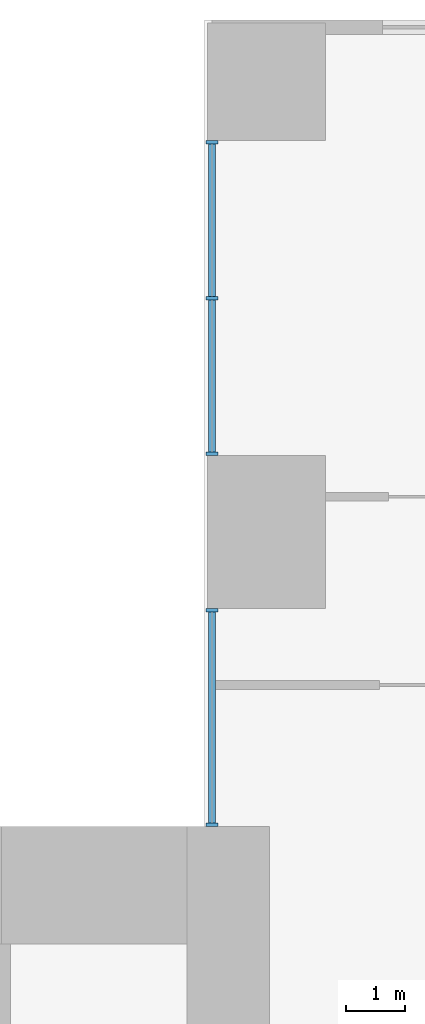
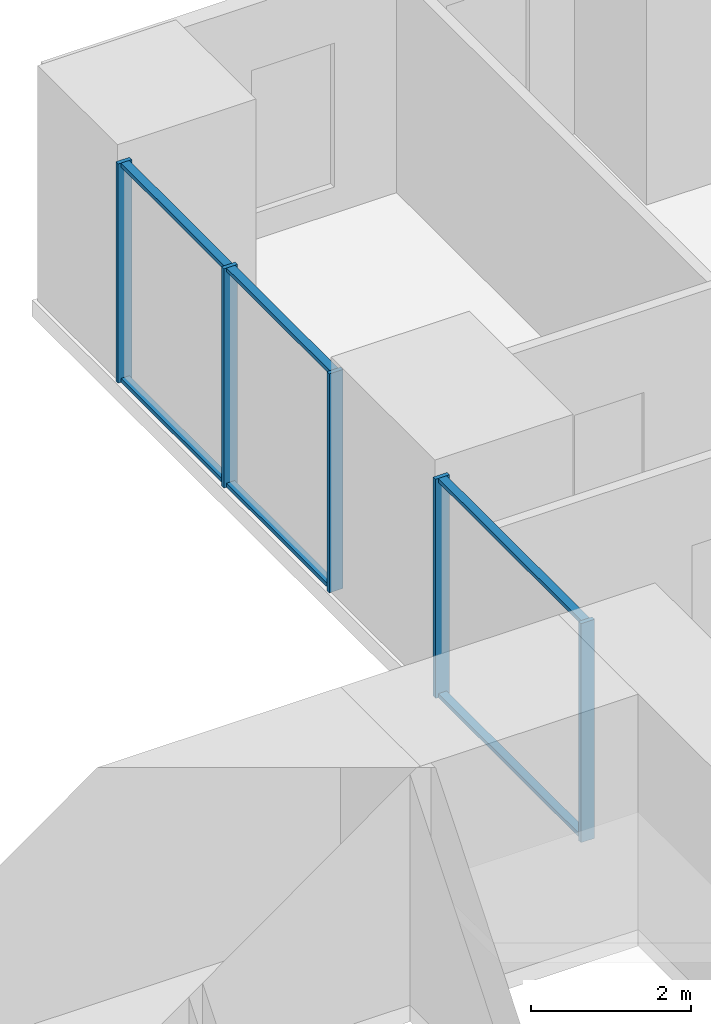
# One storey, part 5 of 20: 11 members, 2 elements without a shape of their own.
"""IFC4 building model written with IfcOpenShell, lengths in metres."""

from ifc_helpers import new_model, si_unit, direction, frame, origin, origin_2d, place, context, subcontext, project, spatial, rectangle, extrude, material, layer, layer_set, material_profile, profile_set, type_object, element, aggregate, save


model = new_model("IFC4")

# Units and contexts
model_context = context("Model", 3, precision=1e-05, world=origin(), true_north=direction((0.0, 1.0)))
body_context = subcontext(model_context, "Body", "Model", "MODEL_VIEW")
ifc_project = project(units=[si_unit("LENGTHUNIT", "METRE"), si_unit("AREAUNIT", "SQUARE_METRE"), si_unit("VOLUMEUNIT", "CUBIC_METRE"), si_unit("PLANEANGLEUNIT", "RADIAN"), si_unit("MASSUNIT", "GRAM", prefix="KILO")], contexts=[model_context])

# Site, building, storey
site_placement = place(None, origin())
site = spatial("IfcSite", under=ifc_project, at=site_placement, CompositionType="ELEMENT")
building_placement = place(site_placement, origin())
building = spatial("IfcBuilding", under=site, at=building_placement, Name="Cleftline Residences", CompositionType="ELEMENT")
storey_placement = place(building_placement, frame((0.0, 0.0, 135.800048828125)))
storey = spatial("IfcBuildingStorey", under=building, at=storey_placement, Name="L35", CompositionType="ELEMENT", Elevation=135.800048828125)

# Curtain wall, members
ifc_material_1 = material(Name="Aluminium framed curtain wall", Category="aluminium")
ifc_layer = layer(ifc_material_1, 0.199951171875)
ifc_layer_set = layer_set([ifc_layer], Name="CW1 CLEFT GLAZING")
curtain_wall_type = type_object("IfcCurtainWallType", Name="CW1 CLEFT GLAZING", PredefinedType="NOTDEFINED", material=ifc_layer_set)
curtain_wall_1_placement = place(storey_placement, origin())
curtain_wall_1 = element("IfcCurtainWall", 1, at=curtain_wall_1_placement, inside=storey, type_object=curtain_wall_type, Name="Curtain wall CW1", PredefinedType="NOTDEFINED")
ifc_material_2 = material(Name="Aluminium mullion", Category="aluminium")
ifc_material_profile_1 = material_profile(ifc_material_2, rectangle(XDim=0.199951171875, YDim=0.06005859375, at=origin_2d()))
ifc_profile_set_1 = profile_set([ifc_material_profile_1], Name="Aluminium mullion")
member_type_1 = type_object("IfcMemberType", Name="CW1 MULLION", PredefinedType="MULLION", material=ifc_profile_set_1)
member_1_placement = place(storey_placement, frame((41.425048828125, 46.6201171875, 0.0), z_axis=(0.0, 0.0, 1.0), x_axis=(1.0, 0.0, 0.0)))
member_1 = element("IfcMember", 2, at=member_1_placement, type_object=member_type_1, Name="CW1 mullion 1", PredefinedType="MULLION", context=body_context, shape_type="SweptSolid", body=[
    extrude(rectangle(XDim=0.199951171875, YDim=0.06005859375, at=origin_2d()), origin(), (0.0, 0.0, 1.0), 3.349853515625),
])
member_2_placement = place(storey_placement, frame((41.425048828125, 43.97509765625, 0.0), z_axis=(0.0, 0.0, 1.0), x_axis=(1.0, 0.0, 0.0)))
member_2 = element("IfcMember", 3, at=member_2_placement, type_object=member_type_1, Name="CW1 mullion 2", PredefinedType="MULLION", context=body_context, shape_type="SweptSolid", body=[
    extrude(rectangle(XDim=0.199951171875, YDim=0.06005859375, at=origin_2d()), origin(), (0.0, 0.0, 1.0), 3.349853515625),
])
member_3_placement = place(storey_placement, frame((41.425048828125, 41.330078125, 0.0), z_axis=(0.0, 0.0, 1.0), x_axis=(1.0, 0.0, 0.0)))
member_3 = element("IfcMember", 4, at=member_3_placement, type_object=member_type_1, Name="CW1 mullion 3", PredefinedType="MULLION", context=body_context, shape_type="SweptSolid", body=[
    extrude(rectangle(XDim=0.199951171875, YDim=0.06005859375, at=origin_2d()), origin(), (0.0, 0.0, 1.0), 3.349853515625),
])

curtain_wall_2_placement = place(storey_placement, origin())
curtain_wall_2 = element("IfcCurtainWall", 5, at=curtain_wall_2_placement, inside=storey, type_object=curtain_wall_type, Name="Curtain wall CW1", PredefinedType="NOTDEFINED")
member_4_placement = place(storey_placement, frame((41.425048828125, 38.669921875, 0.0), z_axis=(0.0, 0.0, 1.0), x_axis=(1.0, 0.0, 0.0)))
member_4 = element("IfcMember", 6, at=member_4_placement, type_object=member_type_1, Name="CW1 mullion 1", PredefinedType="MULLION", context=body_context, shape_type="SweptSolid", body=[
    extrude(rectangle(XDim=0.199951171875, YDim=0.06005859375, at=origin_2d()), origin(), (0.0, 0.0, 1.0), 3.349853515625),
])
member_5_placement = place(storey_placement, frame((41.425048828125, 35.030029296875, 0.0), z_axis=(0.0, 0.0, 1.0), x_axis=(1.0, 0.0, 0.0)))
member_5 = element("IfcMember", 7, at=member_5_placement, type_object=member_type_1, Name="CW1 mullion 2", PredefinedType="MULLION", context=body_context, shape_type="SweptSolid", body=[
    extrude(rectangle(XDim=0.199951171875, YDim=0.06005859375, at=origin_2d()), origin(), (0.0, 0.0, 1.0), 3.349853515625),
])

# Member
ifc_material_3 = material(Name="Aluminium transom", Category="aluminium")
ifc_material_profile_2 = material_profile(ifc_material_3, rectangle(XDim=0.1201171875, YDim=0.06005859375, at=origin_2d()))
ifc_profile_set_2 = profile_set([ifc_material_profile_2], Name="Aluminium transom")
member_type_2 = type_object("IfcMemberType", Name="CW1 TRANSOM", PredefinedType="USERDEFINED", material=ifc_profile_set_2)
member_6_placement = place(storey_placement, frame((41.425048828125, 46.590087890625, 0.030029296875), z_axis=(0.0, -1.0, 0.0), x_axis=(1.0, 0.0, 0.0)))
member_6 = element("IfcMember", 8, at=member_6_placement, type_object=member_type_2, Name="CW1 transom 1.1", ObjectType="TRANSOM", PredefinedType="USERDEFINED", context=body_context, shape_type="SweptSolid", body=[
    extrude(rectangle(XDim=0.1201171875, YDim=0.06005859375, at=origin_2d()), origin(), (0.0, 0.0, 1.0), 2.585205078125),
])

member_7_placement = place(storey_placement, frame((41.425048828125, 46.590087890625, 3.320068359375), z_axis=(0.0, -1.0, 0.0), x_axis=(1.0, 0.0, 0.0)))
member_7 = element("IfcMember", 9, at=member_7_placement, type_object=member_type_2, Name="CW1 transom 1.2", ObjectType="TRANSOM", PredefinedType="USERDEFINED", context=body_context, shape_type="SweptSolid", body=[
    extrude(rectangle(XDim=0.1201171875, YDim=0.06005859375, at=origin_2d()), origin(), (0.0, 0.0, 1.0), 2.585205078125),
])

member_8_placement = place(storey_placement, frame((41.425048828125, 43.945068359375, 0.030029296875), z_axis=(0.0, -1.0, 0.0), x_axis=(1.0, 0.0, 0.0)))
member_8 = element("IfcMember", 10, at=member_8_placement, type_object=member_type_2, Name="CW1 transom 2.1", ObjectType="TRANSOM", PredefinedType="USERDEFINED", context=body_context, shape_type="SweptSolid", body=[
    extrude(rectangle(XDim=0.1201171875, YDim=0.06005859375, at=origin_2d()), origin(), (0.0, 0.0, 1.0), 2.5849609375),
])

member_9_placement = place(storey_placement, frame((41.425048828125, 43.945068359375, 3.320068359375), z_axis=(0.0, -1.0, 0.0), x_axis=(1.0, 0.0, 0.0)))
member_9 = element("IfcMember", 11, at=member_9_placement, type_object=member_type_2, Name="CW1 transom 2.2", ObjectType="TRANSOM", PredefinedType="USERDEFINED", context=body_context, shape_type="SweptSolid", body=[
    extrude(rectangle(XDim=0.1201171875, YDim=0.06005859375, at=origin_2d()), origin(), (0.0, 0.0, 1.0), 2.5849609375),
])

aggregate(curtain_wall_1, [member_1, member_2, member_3, member_6, member_7, member_8, member_9])

member_10_placement = place(storey_placement, frame((41.425048828125, 38.639892578125, 0.030029296875), z_axis=(0.0, -1.0, 0.0), x_axis=(1.0, 0.0, 0.0)))
member_10 = element("IfcMember", 12, at=member_10_placement, type_object=member_type_2, Name="CW1 transom 1.1", ObjectType="TRANSOM", PredefinedType="USERDEFINED", context=body_context, shape_type="SweptSolid", body=[
    extrude(rectangle(XDim=0.1201171875, YDim=0.06005859375, at=origin_2d()), origin(), (0.0, 0.0, 1.0), 3.579833984375),
])

member_11_placement = place(storey_placement, frame((41.425048828125, 38.639892578125, 3.320068359375), z_axis=(0.0, -1.0, 0.0), x_axis=(1.0, 0.0, 0.0)))
member_11 = element("IfcMember", 13, at=member_11_placement, type_object=member_type_2, Name="CW1 transom 1.2", ObjectType="TRANSOM", PredefinedType="USERDEFINED", context=body_context, shape_type="SweptSolid", body=[
    extrude(rectangle(XDim=0.1201171875, YDim=0.06005859375, at=origin_2d()), origin(), (0.0, 0.0, 1.0), 3.579833984375),
])

aggregate(curtain_wall_2, [member_4, member_5, member_10, member_11])

save(model, "model.ifc")
